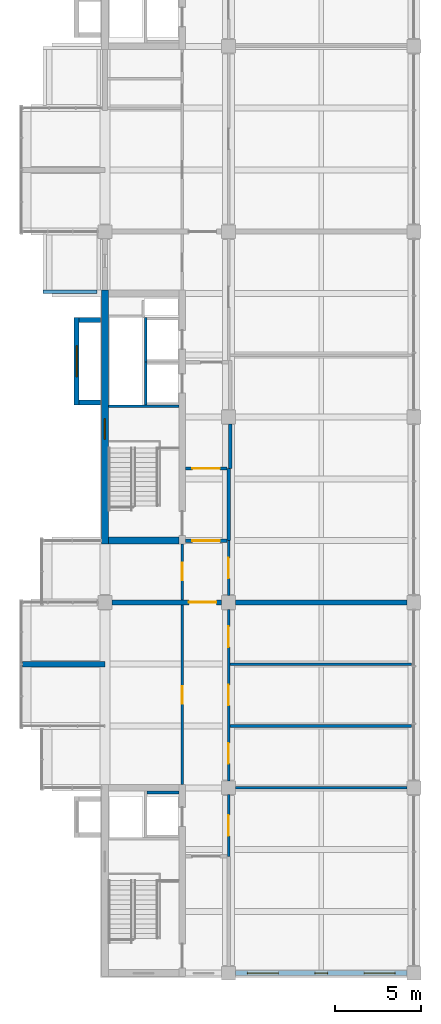
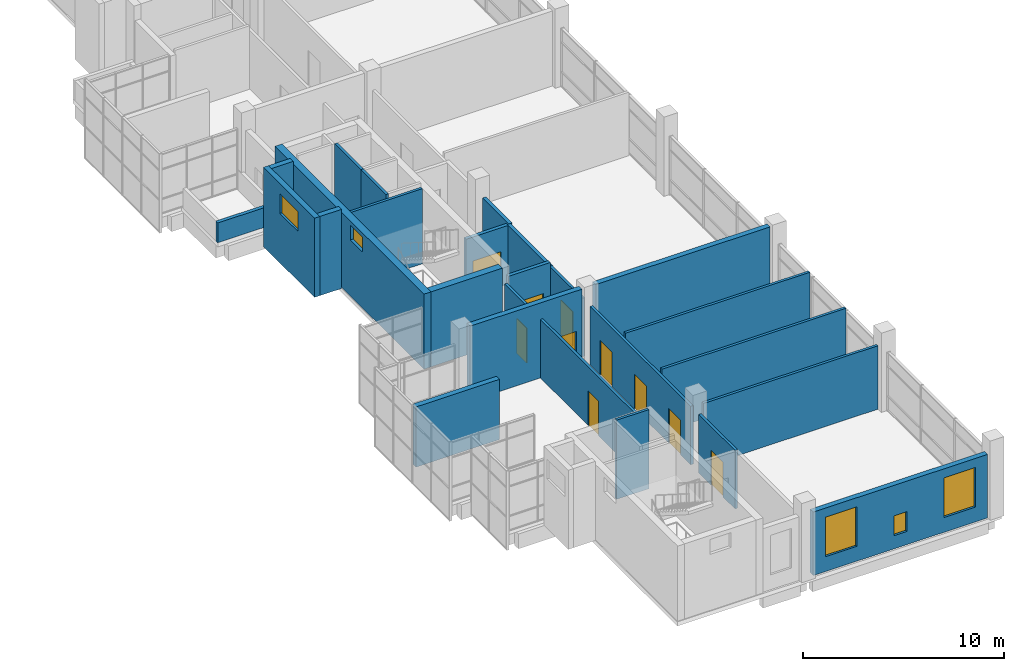
# One storey, part 11 of 14: 26 walls, 10 doors, 5 windows, 15 openings.
"""IFC4 building model written with IfcOpenShell, lengths in metres."""

import ifcopenshell
import ifcopenshell.guid

model = None  # the IFC model being written
_history = None  # IfcOwnerHistory: only IFC2X3 demands one
_inside = {}  # id of a spatial element -> (the spatial element, [elements in it])
_under = {}  # id of a project, library or spatial element -> (it, [spatial elements below it])
_declared = {}  # id of a project -> (the project, [libraries it declares])
_typed = {}  # id of a type object -> (the type object, [elements of that type])
_made_of = {}  # id of a material, layer set ... -> (it, [elements and type objects made of it])


def new_model(schema):
    """Start an empty IFC model of exactly this schema.

    Asked for "IFC4X3", IfcOpenShell would pick the latest addendum, in which some entities
    have other attributes; the version numbers below select the first issue.
    IFC2X3 requires an IfcOwnerHistory on every rooted entity: one is made here for all.
    """
    global model, _history
    if schema == "IFC4X3":
        model = ifcopenshell.file(schema_version=(4, 3, 0, 0))
    else:
        model = ifcopenshell.file(schema=schema)
    _inside.clear()
    _under.clear()
    _declared.clear()
    _typed.clear()
    _made_of.clear()
    _history = None
    if model.schema == "IFC2X3":
        org = make("IfcOrganization", Name="unknown")
        user = make(
            "IfcPersonAndOrganization",
            ThePerson=make("IfcPerson", FamilyName="unknown"),
            TheOrganization=org,
        )
        app = make(
            "IfcApplication",
            ApplicationDeveloper=org,
            Version="unknown",
            ApplicationFullName="unknown",
            ApplicationIdentifier="unknown",
        )
        _history = make(
            "IfcOwnerHistory",
            OwningUser=user,
            OwningApplication=app,
            ChangeAction="ADDED",
            CreationDate=0,
        )
    return model


def make(cls, **values):
    """One entity of the class cls with the attributes given. An attribute that is None is left unset."""
    return model.create_entity(
        cls, **{name: value for name, value in values.items() if value is not None}
    )


def rooted(cls, **values):
    """An entity with a GlobalId (a new one), such as an element, a storey or a relation."""
    return make(cls, GlobalId=ifcopenshell.guid.new(), OwnerHistory=_history, **values)


def si_unit(unit_type, name, prefix=None):
    """IfcSIUnit, for example si_unit("LENGTHUNIT", "METRE", prefix="MILLI")."""
    return make("IfcSIUnit", UnitType=unit_type, Prefix=prefix, Name=name)


def assignment(units):
    """IfcUnitAssignment: the units of a project."""
    return None if units is None else make("IfcUnitAssignment", Units=units)


def point(xyz):
    """IfcCartesianPoint."""
    return None if xyz is None else make("IfcCartesianPoint", Coordinates=xyz)


def direction(xyz):
    """IfcDirection."""
    return None if xyz is None else make("IfcDirection", DirectionRatios=xyz)


def frame(location, z_axis=None, x_axis=None):
    """IfcAxis2Placement3D, a coordinate frame: its origin and axes. An axis left out is left unset."""
    return make(
        "IfcAxis2Placement3D",
        Location=point(location),
        Axis=direction(z_axis),
        RefDirection=direction(x_axis),
    )


def frame_2d(location, x_axis=None):
    """IfcAxis2Placement2D, a coordinate frame in the plane: its origin and x axis."""
    return make(
        "IfcAxis2Placement2D", Location=point(location), RefDirection=direction(x_axis)
    )


def origin():
    """The frame at (0, 0, 0) with its axes left unset."""
    return frame((0.0, 0.0, 0.0))


def place(relative_to, where):
    """IfcLocalPlacement: puts the frame where relative to a parent placement (None: the world)."""
    return make(
        "IfcLocalPlacement", PlacementRelTo=relative_to, RelativePlacement=where
    )


def context(
    kind, dimensions, precision=None, world=None, true_north=None, identifier=None
):
    """IfcGeometricRepresentationContext, for example the 3D "Model" context."""
    return make(
        "IfcGeometricRepresentationContext",
        ContextIdentifier=identifier,
        ContextType=kind,
        CoordinateSpaceDimension=dimensions,
        Precision=precision,
        WorldCoordinateSystem=world,
        TrueNorth=true_north,
    )


def subcontext(parent, identifier, kind, view, scale=None):
    """IfcGeometricRepresentationSubContext, for example "Body" below "Model"."""
    return make(
        "IfcGeometricRepresentationSubContext",
        ContextIdentifier=identifier,
        ContextType=kind,
        ParentContext=parent,
        TargetScale=scale,
        TargetView=view,
    )


def project(units=None, contexts=None):
    """IfcProject with its units and contexts."""
    return rooted(
        "IfcProject",
        Name="project",
        RepresentationContexts=contexts,
        UnitsInContext=assignment(units),
    )


def spatial(cls, under=None, at=None, **own):
    """A site, building, storey or space (cls), placed at a placement, below another one or the project."""
    s = rooted(cls, ObjectPlacement=at, **own)
    if under is not None:
        _under.setdefault(under.id(), (under, []))[1].append(s)
    return s


def profile(cls, at=None, kind="AREA", **sizes):
    """A parametric profile (cls). Its sizes go by their IFC names, for example OverallWidth=200.0."""
    return make(cls, ProfileType=kind, Position=at, **sizes)


def rectangle(**sizes):
    """IfcRectangleProfileDef."""
    return profile("IfcRectangleProfileDef", **sizes)


def extrude(swept, where, along, depth):
    """IfcExtrudedAreaSolid: the profile swept, set in the frame where, extruded along a direction by depth."""
    return make(
        "IfcExtrudedAreaSolid",
        SweptArea=swept,
        Position=where,
        ExtrudedDirection=direction(along),
        Depth=depth,
    )


def shape(context_of_items, identifier, shape_type, items):
    """IfcShapeRepresentation: the items that make up one representation, for example the "Body"."""
    return make(
        "IfcShapeRepresentation",
        ContextOfItems=context_of_items,
        RepresentationIdentifier=identifier,
        RepresentationType=shape_type,
        Items=items,
    )


def material(Name=None, Category=None):
    """IfcMaterial."""
    return make("IfcMaterial", Name=Name, Category=Category)


def layer(
    of_material, thickness, ventilated=None, Name=None, Category=None, Priority=None
):
    """IfcMaterialLayer: one layer of a wall or slab, of a material (None: an air gap)."""
    return make(
        "IfcMaterialLayer",
        Material=of_material,
        LayerThickness=thickness,
        IsVentilated=ventilated,
        Name=Name,
        Category=Category,
        Priority=Priority,
    )


def layer_set(layers, Name=None):
    """IfcMaterialLayerSet."""
    return make("IfcMaterialLayerSet", MaterialLayers=layers, LayerSetName=Name)


def made_of(thing, what):
    """Note that an element or type object is made of a material, layer set ...; save() writes the relation."""
    if what is not None:
        _made_of.setdefault(what.id(), (what, []))[1].append(thing)
    return thing


def type_object(cls, material=None, **own):
    """A type object (cls), such as IfcWallType, which elements share."""
    return made_of(rooted(cls, **own), material)


def element(
    cls,
    number,
    at=None,
    inside=None,
    cuts=None,
    type_object=None,
    material=None,
    context=None,
    identifier="Body",
    shape_type=None,
    held_by="IfcProductDefinitionShape",
    body=None,
    shapes=None,
    **own,
):
    """One element of the class cls, such as IfcWall. Its Tag is "e" and its number.

    at: its placement. inside: the storey or other place that contains it. cuts: it is an
    opening in that element (IfcRelVoidsElement). A single representation is given by context,
    identifier, shape_type and body (its items); several are given by shapes. held_by: the class
    of the entity that holds the representations. save() writes the other relations.
    """
    e = rooted(cls, Tag="e%d" % number, ObjectPlacement=at, **own)
    if body is not None:
        shapes = [shape(context, identifier, shape_type, body)]
    if shapes is not None:
        e.Representation = make(held_by, Representations=shapes)
    if inside is not None:
        _inside.setdefault(inside.id(), (inside, []))[1].append(e)
    if cuts is not None:
        rooted(
            "IfcRelVoidsElement", RelatingBuildingElement=cuts, RelatedOpeningElement=e
        )
    if type_object is not None:
        _typed.setdefault(type_object.id(), (type_object, []))[1].append(e)
    return made_of(e, material)


def fill(opening, filler):
    """IfcRelFillsElement: the door or window that sits in an opening."""
    return rooted(
        "IfcRelFillsElement",
        RelatingOpeningElement=opening,
        RelatedBuildingElement=filler,
    )


def aggregate(whole, parts):
    """IfcRelAggregates: a whole, such as a stair, and the parts it consists of."""
    return rooted("IfcRelAggregates", RelatingObject=whole, RelatedObjects=parts)


def save(model, path):
    """Write the relations noted so far, then the file.

    IfcRelAggregates (storeys below a building ...), IfcRelContainedInSpatialStructure (elements
    in a storey), IfcRelDefinesByType, IfcRelAssociatesMaterial and IfcRelDeclares: one each for
    every whole, place, type object, material and project.
    """
    for whole, parts in _under.values():
        aggregate(whole, parts)
    for where, things in _inside.values():
        rooted(
            "IfcRelContainedInSpatialStructure",
            RelatedElements=things,
            RelatingStructure=where,
        )
    for kind, things in _typed.values():
        rooted("IfcRelDefinesByType", RelatedObjects=things, RelatingType=kind)
    for what, things in _made_of.values():
        rooted("IfcRelAssociatesMaterial", RelatedObjects=things, RelatingMaterial=what)
    for by, libraries in _declared.values():
        rooted("IfcRelDeclares", RelatingContext=by, RelatedDefinitions=libraries)
    model.write(path)


model = new_model("IFC4")

# Units and contexts
model_context = context("Model", 3, precision=1e-05, world=origin(), true_north=direction((0.0, 1.0)))
body_context = subcontext(model_context, "Body", "Model", "MODEL_VIEW")
ifc_project = project(units=[si_unit("LENGTHUNIT", "METRE"), si_unit("AREAUNIT", "SQUARE_METRE"), si_unit("VOLUMEUNIT", "CUBIC_METRE"), si_unit("PLANEANGLEUNIT", "RADIAN"), si_unit("MASSUNIT", "GRAM", prefix="KILO")], contexts=[model_context])

# Site, building, storey
site_placement = place(None, origin())
site = spatial("IfcSite", under=ifc_project, at=site_placement, CompositionType="ELEMENT")
building_placement = place(site_placement, origin())
building = spatial("IfcBuilding", under=site, at=building_placement, Name="Basin Gate Institute", CompositionType="ELEMENT")
storey_placement = place(building_placement, frame((0.0, 0.0, 60.60009765625)))
storey = spatial("IfcBuildingStorey", under=building, at=storey_placement, Name="L12", CompositionType="ELEMENT", Elevation=60.60009765625)

# Wall
ifc_material_1 = material(Name="Aluminium-faced insulated panel wall", Category="aluminium")
ifc_layer_1 = layer(ifc_material_1, 0.300048828125)
ifc_layer_set_1 = layer_set([ifc_layer_1], Name="Capsule side wall EW2 EI 120")
wall_type_1 = type_object("IfcWallType", Name="Capsule side wall EW2 EI 120", PredefinedType="STANDARD", material=ifc_layer_set_1)
wall_1_placement = place(storey_placement, frame((56.39990234375, 53.10009765625, 0.0), z_axis=(0.0, 0.0, 1.0), x_axis=(1.0, 0.0, 0.0)))
element("IfcWall", 1, at=wall_1_placement, inside=storey, type_object=wall_type_1, material=ifc_layer_set_1, Name="Capsule side wall W wing L12 line 6", PredefinedType="STANDARD", context=body_context, shape_type="SweptSolid", body=[
    extrude(rectangle(XDim=4.800048828125, YDim=0.300048828125, at=frame_2d((2.39990234375, 0.0))), origin(), (0.0, 0.0, 1.0), 3.64990234375),
])

# Wall, opening, door
ifc_material_2 = material(Name="Fire-rated masonry", Category="masonry")
ifc_layer_2 = layer(ifc_material_2, 0.199951171875)
ifc_layer_set_2 = layer_set([ifc_layer_2], Name="Enclosure wall PW2 200 EI 60")
wall_type_2 = type_object("IfcWallType", Name="Enclosure wall PW2 200 EI 60", PredefinedType="PARTITIONING", material=ifc_layer_set_2)
wall_2_placement = place(storey_placement, frame((65.89990234375, 60.300048828125, 0.0), z_axis=(0.0, 0.0, 1.0), x_axis=(1.0, 0.0, 0.0)))
wall_2 = element("IfcWall", 2, at=wall_2_placement, inside=storey, type_object=wall_type_2, material=ifc_layer_set_2, Name="Smoke lobby enclosure wall PW2 L12", PredefinedType="PARTITIONING", context=body_context, shape_type="SweptSolid", body=[
    extrude(rectangle(XDim=2.400146484375, YDim=0.199951171875, at=frame_2d((1.2001953125, 0.0))), origin(), (0.0, 0.0, 1.0), 3.849853515625),
])
opening_1_placement = place(wall_2_placement, frame((0.39990234375, 0.0, 0.0)))
opening_1 = element("IfcOpeningElement", 3, at=opening_1_placement, cuts=wall_2, Name="Opening DR500", PredefinedType="OPENING", context=body_context, shape_type="SweptSolid", body=[
    extrude(rectangle(XDim=1.60009765625, YDim=2.10009765625, at=frame_2d((0.800048828125, 1.050048828125))), frame((0.0, 0.10986328125, 0.0), z_axis=(0.0, -1.0, 0.0), x_axis=(1.0, 0.0, 0.0)), (0.0, 0.0, 1.0), 0.219970703125),
])
ifc_material_3 = material(Name="Steel fire door", Category="steel")
door_type_1 = type_object("IfcDoorType", Name="FD60 Smoke lobby door pair D8", OperationType="DOUBLE_DOOR_SINGLE_SWING", PredefinedType="DOOR", material=ifc_material_3)
door_1_placement = place(opening_1_placement, origin())
door_1 = element("IfcDoor", 4, at=door_1_placement, inside=storey, type_object=door_type_1, material=ifc_material_3, Name="Smoke lobby door SS2 L12", OperationType="DOUBLE_DOOR_SINGLE_SWING", OverallHeight=2.10009765625, OverallWidth=1.60009765625, PredefinedType="DOOR", context=body_context, shape_type="SweptSolid", body=[
    extrude(rectangle(XDim=1.60009765625, YDim=2.10009765625, at=frame_2d((0.800048828125, 1.050048828125))), frame((0.0, 0.02490234375, 0.0), z_axis=(0.0, -1.0, 0.0), x_axis=(1.0, 0.0, 0.0)), (0.0, 0.0, 1.0), 0.050048828125),
])
fill(opening_1, door_1)

wall_3_placement = place(storey_placement, frame((65.89990234375, 64.5, 0.0), z_axis=(0.0, 0.0, 1.0), x_axis=(1.0, 0.0, 0.0)))
wall_3 = element("IfcWall", 5, at=wall_3_placement, inside=storey, type_object=wall_type_2, material=ifc_layer_set_2, Name="Smoke lobby enclosure wall PW2 L12", PredefinedType="PARTITIONING", context=body_context, shape_type="SweptSolid", body=[
    extrude(rectangle(XDim=2.400146484375, YDim=0.199951171875, at=frame_2d((1.2001953125, 0.0))), origin(), (0.0, 0.0, 1.0), 3.5498046875),
])
opening_2_placement = place(wall_3_placement, frame((0.39990234375, 0.0, 0.0)))
opening_2 = element("IfcOpeningElement", 6, at=opening_2_placement, cuts=wall_3, Name="Opening DR501", PredefinedType="OPENING", context=body_context, shape_type="SweptSolid", body=[
    extrude(rectangle(XDim=1.60009765625, YDim=2.10009765625, at=frame_2d((0.800048828125, 1.050048828125))), frame((0.0, 0.10986328125, 0.0), z_axis=(0.0, -1.0, 0.0), x_axis=(1.0, 0.0, 0.0)), (0.0, 0.0, 1.0), 0.219970703125),
])
door_2_placement = place(opening_2_placement, frame((1.60009765625, 0.0, 0.0), z_axis=(0.0, 0.0, 1.0), x_axis=(-1.0, 0.0, 0.0)))
door_2 = element("IfcDoor", 7, at=door_2_placement, inside=storey, type_object=door_type_1, material=ifc_material_3, Name="Smoke lobby door SS2 L12", OperationType="DOUBLE_DOOR_SINGLE_SWING", OverallHeight=2.10009765625, OverallWidth=1.60009765625, PredefinedType="DOOR", context=body_context, shape_type="SweptSolid", body=[
    extrude(rectangle(XDim=1.60009765625, YDim=2.10009765625, at=frame_2d((0.800048828125, 1.050048828125))), frame((0.0, 0.02490234375, 0.0), z_axis=(0.0, -1.0, 0.0), x_axis=(1.0, 0.0, 0.0)), (0.0, 0.0, 1.0), 0.050048828125),
])
fill(opening_2, door_2)

# Walls
wall_4_placement = place(storey_placement, frame((68.39990234375, 60.300048828125, 0.0), z_axis=(0.0, 0.0, 1.0), x_axis=(0.0, 1.0, 0.0)))
element("IfcWall", 8, at=wall_4_placement, inside=storey, type_object=wall_type_2, material=ifc_layer_set_2, Name="Smoke lobby enclosure wall PW2 L12", PredefinedType="PARTITIONING", context=body_context, shape_type="SweptSolid", body=[
    extrude(rectangle(XDim=4.199951171875, YDim=0.199951171875, at=frame_2d((2.10009765625, 0.0))), origin(), (0.0, 0.0, 1.0), 3.5498046875),
])
wall_5_placement = place(storey_placement, frame((68.5, 64.5, 0.0), z_axis=(0.0, 0.0, 1.0), x_axis=(0.0, 1.0, 0.0)))
element("IfcWall", 9, at=wall_5_placement, inside=storey, type_object=wall_type_2, material=ifc_layer_set_2, Name="Emergency lift lobby wall PW2 L12", PredefinedType="PARTITIONING", context=body_context, shape_type="SweptSolid", body=[
    extrude(rectangle(XDim=2.60009765625, YDim=0.199951171875, at=frame_2d((1.300048828125, 0.0))), origin(), (0.0, 0.0, 1.0), 3.5498046875),
])

# Wall, openings, windows
ifc_material_4 = material(Name="Aluminium-faced insulated panel wall", Category="aluminium")
ifc_layer_3 = layer(ifc_material_4, 0.300048828125)
ifc_layer_set_3 = layer_set([ifc_layer_3], Name="External wall EW1 EI 120")
wall_type_3 = type_object("IfcWallType", Name="External wall EW1 EI 120", PredefinedType="STANDARD", material=ifc_layer_set_3)
wall_6_placement = place(storey_placement, frame((68.800048828125, 35.10009765625, 0.0), z_axis=(0.0, 0.0, 1.0), x_axis=(1.0, 0.0, 0.0)))
wall_6 = element("IfcWall", 10, at=wall_6_placement, inside=storey, type_object=wall_type_3, material=ifc_layer_set_3, Name="External end wall W wing south L12 2", PredefinedType="STANDARD", context=body_context, shape_type="SweptSolid", body=[
    extrude(rectangle(XDim=10.0, YDim=0.300048828125, at=frame_2d((5.0, 0.0))), origin(), (0.0, 0.0, 1.0), 3.849853515625),
])
opening_3_placement = place(wall_6_placement, frame((0.699951171875, 0.0, 0.89990234375)))
opening_3 = element("IfcOpeningElement", 11, at=opening_3_placement, cuts=wall_6, Name="Opening WN1", PredefinedType="OPENING", context=body_context, shape_type="SweptSolid", body=[
    extrude(rectangle(XDim=1.800048828125, YDim=2.39990234375, at=frame_2d((0.89990234375, 1.199951171875))), frame((0.0, 0.16015625, 0.0), z_axis=(0.0, -1.0, 0.0), x_axis=(1.0, 0.0, 0.0)), (0.0, 0.0, 1.0), 0.320068359375),
])
opening_4_placement = place(wall_6_placement, frame((4.625, 0.0, 0.800048828125)))
opening_4 = element("IfcOpeningElement", 12, at=opening_4_placement, cuts=wall_6, Name="Opening WN3", PredefinedType="OPENING", context=body_context, shape_type="SweptSolid", body=[
    extrude(rectangle(XDim=0.75, YDim=1.199951171875, at=frame_2d((0.375, 0.60009765625))), frame((0.0, 0.16015625, 0.0), z_axis=(0.0, -1.0, 0.0), x_axis=(1.0, 0.0, 0.0)), (0.0, 0.0, 1.0), 0.320068359375),
])
opening_5_placement = place(wall_6_placement, frame((7.5, 0.0, 0.89990234375)))
opening_5 = element("IfcOpeningElement", 13, at=opening_5_placement, cuts=wall_6, Name="Opening WN1", PredefinedType="OPENING", context=body_context, shape_type="SweptSolid", body=[
    extrude(rectangle(XDim=1.800048828125, YDim=2.39990234375, at=frame_2d((0.89990234375, 1.199951171875))), frame((0.0, 0.16015625, 0.0), z_axis=(0.0, -1.0, 0.0), x_axis=(1.0, 0.0, 0.0)), (0.0, 0.0, 1.0), 0.320068359375),
])
ifc_material_5 = material(Name="Aluminium-framed double glazing", Category="aluminium")
window_type_1 = type_object("IfcWindowType", Name="Emergency entry panel WN3", PartitioningType="SINGLE_PANEL", PredefinedType="WINDOW", material=ifc_material_5)
window_1_placement = place(opening_4_placement, origin())
window_1 = element("IfcWindow", 14, at=window_1_placement, inside=storey, type_object=window_type_1, material=ifc_material_5, Name="Emergency entry panel W wing end S L12 bay 2", OverallHeight=1.199951171875, OverallWidth=0.75, PartitioningType="SINGLE_PANEL", PredefinedType="WINDOW", context=body_context, shape_type="SweptSolid", body=[
    extrude(rectangle(XDim=0.75, YDim=1.199951171875, at=frame_2d((0.375, 0.60009765625))), frame((0.0, 0.030029296875, 0.0), z_axis=(0.0, -1.0, 0.0), x_axis=(1.0, 0.0, 0.0)), (0.0, 0.0, 1.0), 0.06005859375),
])
fill(opening_4, window_1)
ifc_material_6 = material(Name="Aluminium-framed double glazing", Category="aluminium")
window_type_2 = type_object("IfcWindowType", Name="Facade window WN1", PartitioningType="SINGLE_PANEL", PredefinedType="WINDOW", material=ifc_material_6)
window_2_placement = place(opening_3_placement, origin())
window_2 = element("IfcWindow", 15, at=window_2_placement, inside=storey, type_object=window_type_2, material=ifc_material_6, Name="Facade window W wing end S L12 bay 1", OverallHeight=2.39990234375, OverallWidth=1.800048828125, PartitioningType="SINGLE_PANEL", PredefinedType="WINDOW", context=body_context, shape_type="SweptSolid", body=[
    extrude(rectangle(XDim=1.800048828125, YDim=2.39990234375, at=frame_2d((0.89990234375, 1.199951171875))), frame((0.0, 0.030029296875, 0.0), z_axis=(0.0, -1.0, 0.0), x_axis=(1.0, 0.0, 0.0)), (0.0, 0.0, 1.0), 0.06005859375),
])
fill(opening_3, window_2)
window_3_placement = place(opening_5_placement, origin())
window_3 = element("IfcWindow", 16, at=window_3_placement, inside=storey, type_object=window_type_2, material=ifc_material_6, Name="Facade window W wing end S L12 bay 3", OverallHeight=2.39990234375, OverallWidth=1.800048828125, PartitioningType="SINGLE_PANEL", PredefinedType="WINDOW", context=body_context, shape_type="SweptSolid", body=[
    extrude(rectangle(XDim=1.800048828125, YDim=2.39990234375, at=frame_2d((0.89990234375, 1.199951171875))), frame((0.0, 0.030029296875, 0.0), z_axis=(0.0, -1.0, 0.0), x_axis=(1.0, 0.0, 0.0)), (0.0, 0.0, 1.0), 0.06005859375),
])
fill(opening_5, window_3)

# Wall
ifc_material_7 = material(Name="Concrete 40 MPa", Category="concrete")
ifc_layer_4 = layer(ifc_material_7, 0.199951171875)
ifc_layer_set_4 = layer_set([ifc_layer_4], Name="Concrete 40 MPa")
wall_type_4 = type_object("IfcWallType", Name="Parapet wall PA1", PredefinedType="PARAPET", material=ifc_layer_set_4)
wall_7_placement = place(storey_placement, frame((60.75, 74.800048828125, 0.0), z_axis=(0.0, 0.0, 1.0), x_axis=(-1.0, 0.0, 0.0)))
element("IfcWall", 17, at=wall_7_placement, inside=storey, type_object=wall_type_4, material=ifc_layer_set_4, Name="Parapet wall PA1 L12 W2", PredefinedType="PARAPET", context=body_context, shape_type="SweptSolid", body=[
    extrude(rectangle(XDim=3.14990234375, YDim=0.199951171875, at=frame_2d((1.574951171875, 0.0))), origin(), (0.0, 0.0, 1.0), 1.199951171875),
])

# Wall, opening, door
ifc_material_8 = material(Name="Gypsum board on steel stud", Category="steel")
ifc_layer_5 = layer(ifc_material_8, 0.14990234375)
ifc_layer_set_5 = layer_set([ifc_layer_5], Name="Gypsum board on steel stud")
wall_type_5 = type_object("IfcWallType", Name="Partition PW1 150 EI 60", PredefinedType="PARTITIONING", material=ifc_layer_set_5)
wall_8_placement = place(storey_placement, frame((65.699951171875, 46.10009765625, 0.0), z_axis=(0.0, 0.0, 1.0), x_axis=(0.0, 1.0, 0.0)))
wall_8 = element("IfcWall", 18, at=wall_8_placement, inside=storey, type_object=wall_type_5, material=ifc_layer_set_5, Name="Corridor wall PW1 L12", PredefinedType="PARTITIONING", context=body_context, shape_type="SweptSolid", body=[
    extrude(rectangle(XDim=10.449951171875, YDim=0.14990234375, at=frame_2d((5.22509765625, 0.0))), origin(), (0.0, 0.0, 1.0), 3.5498046875),
])
opening_6_placement = place(wall_8_placement, frame((4.699951171875, 0.0, 0.0)))
opening_6 = element("IfcOpeningElement", 19, at=opening_6_placement, cuts=wall_8, Name="Opening DR486", PredefinedType="OPENING", context=body_context, shape_type="SweptSolid", body=[
    extrude(rectangle(XDim=1.0, YDim=2.10009765625, at=frame_2d((0.5, 1.050048828125))), frame((0.0, 0.0849609375, 0.0), z_axis=(0.0, -1.0, 0.0), x_axis=(1.0, 0.0, 0.0)), (0.0, 0.0, 1.0), 0.169921875),
])
ifc_material_9 = material(Name="Timber fire door", Category="wood")
door_type_2 = type_object("IfcDoorType", Name="FD30 Office door D1", OperationType="NOTDEFINED", PredefinedType="DOOR", material=ifc_material_9)
door_3_placement = place(opening_6_placement, origin())
door_3 = element("IfcDoor", 20, at=door_3_placement, inside=storey, type_object=door_type_2, material=ifc_material_9, Name="Door to Library Carrel Room 1201 L12", OperationType="SINGLE_SWING_LEFT", OverallHeight=2.10009765625, OverallWidth=1.0, PredefinedType="DOOR", context=body_context, shape_type="SweptSolid", body=[
    extrude(rectangle(XDim=1.0, YDim=2.10009765625, at=frame_2d((0.5, 1.050048828125))), frame((0.0, 0.02490234375, 0.0), z_axis=(0.0, -1.0, 0.0), x_axis=(1.0, 0.0, 0.0)), (0.0, 0.0, 1.0), 0.050048828125),
])
fill(opening_6, door_3)

wall_9_placement = place(storey_placement, frame((65.699951171875, 56.85009765625, 0.0), z_axis=(0.0, 0.0, 1.0), x_axis=(0.0, 1.0, 0.0)))
wall_9 = element("IfcWall", 21, at=wall_9_placement, inside=storey, type_object=wall_type_5, material=ifc_layer_set_5, Name="Corridor wall PW1 L12", PredefinedType="PARTITIONING", context=body_context, shape_type="SweptSolid", body=[
    extrude(rectangle(XDim=3.25, YDim=0.14990234375, at=frame_2d((1.625, 0.0))), origin(), (0.0, 0.0, 1.0), 3.5498046875),
])
opening_7_placement = place(wall_9_placement, frame((1.14990234375, 0.0, 0.0)))
opening_7 = element("IfcOpeningElement", 22, at=opening_7_placement, cuts=wall_9, Name="Opening DR488", PredefinedType="OPENING", context=body_context, shape_type="SweptSolid", body=[
    extrude(rectangle(XDim=1.0, YDim=2.10009765625, at=frame_2d((0.5, 1.050048828125))), frame((0.0, 0.0849609375, 0.0), z_axis=(0.0, -1.0, 0.0), x_axis=(1.0, 0.0, 0.0)), (0.0, 0.0, 1.0), 0.169921875),
])
door_4_placement = place(opening_7_placement, origin())
door_4 = element("IfcDoor", 23, at=door_4_placement, inside=storey, type_object=door_type_2, material=ifc_material_9, Name="Door to Meeting Room 1202 L12", OperationType="SINGLE_SWING_RIGHT", OverallHeight=2.10009765625, OverallWidth=1.0, PredefinedType="DOOR", context=body_context, shape_type="SweptSolid", body=[
    extrude(rectangle(XDim=1.0, YDim=2.10009765625, at=frame_2d((0.5, 1.050048828125))), frame((0.0, 0.02490234375, 0.0), z_axis=(0.0, -1.0, 0.0), x_axis=(1.0, 0.0, 0.0)), (0.0, 0.0, 1.0), 0.050048828125),
])
fill(opening_7, door_4)

wall_10_placement = place(storey_placement, frame((68.39990234375, 41.89990234375, 0.0), z_axis=(0.0, 0.0, 1.0), x_axis=(0.0, 1.0, 0.0)))
wall_10 = element("IfcWall", 24, at=wall_10_placement, inside=storey, type_object=wall_type_5, material=ifc_layer_set_5, Name="Laboratory corridor wall PW1 L12", PredefinedType="PARTITIONING", context=body_context, shape_type="SweptSolid", body=[
    extrude(rectangle(XDim=3.60009765625, YDim=0.14990234375, at=frame_2d((1.800048828125, 0.0))), origin(), (0.0, 0.0, 1.0), 3.5498046875),
])
opening_8_placement = place(wall_10_placement, frame((1.199951171875, 0.0, 0.0)))
opening_8 = element("IfcOpeningElement", 25, at=opening_8_placement, cuts=wall_10, Name="Opening DR490", PredefinedType="OPENING", context=body_context, shape_type="SweptSolid", body=[
    extrude(rectangle(XDim=1.199951171875, YDim=2.10009765625, at=frame_2d((0.60009765625, 1.050048828125))), frame((0.0, 0.0849609375, 0.0), z_axis=(0.0, -1.0, 0.0), x_axis=(1.0, 0.0, 0.0)), (0.0, 0.0, 1.0), 0.169921875),
])
ifc_material_10 = material(Name="Timber fire door", Category="wood")
door_type_3 = type_object("IfcDoorType", Name="FD30 Laboratory door D2", OperationType="DOUBLE_DOOR_SINGLE_SWING", PredefinedType="DOOR", material=ifc_material_10)
door_5_placement = place(opening_8_placement, frame((1.199951171875, 0.0, 0.0), z_axis=(0.0, 0.0, 1.0), x_axis=(-1.0, 0.0, 0.0)))
door_5 = element("IfcDoor", 26, at=door_5_placement, inside=storey, type_object=door_type_3, material=ifc_material_10, Name="Door to Write-up Office 1215 L12", OperationType="DOUBLE_DOOR_SINGLE_SWING", OverallHeight=2.10009765625, OverallWidth=1.199951171875, PredefinedType="DOOR", context=body_context, shape_type="SweptSolid", body=[
    extrude(rectangle(XDim=1.199951171875, YDim=2.10009765625, at=frame_2d((0.60009765625, 1.050048828125))), frame((0.0, 0.02490234375, 0.0), z_axis=(0.0, -1.0, 0.0), x_axis=(1.0, 0.0, 0.0)), (0.0, 0.0, 1.0), 0.050048828125),
])
fill(opening_8, door_5)

# Wall, openings, doors
wall_11_placement = place(storey_placement, frame((68.39990234375, 46.300048828125, 0.0), z_axis=(0.0, 0.0, 1.0), x_axis=(0.0, 1.0, 0.0)))
wall_11 = element("IfcWall", 27, at=wall_11_placement, inside=storey, type_object=wall_type_5, material=ifc_layer_set_5, Name="Laboratory corridor wall PW1 L12", PredefinedType="PARTITIONING", context=body_context, shape_type="SweptSolid", body=[
    extrude(rectangle(XDim=10.0, YDim=0.14990234375, at=frame_2d((5.0, 0.0))), origin(), (0.0, 0.0, 1.0), 3.5498046875),
])
opening_9_placement = place(wall_11_placement, frame((1.0, 0.0, 0.0)))
opening_9 = element("IfcOpeningElement", 28, at=opening_9_placement, cuts=wall_11, Name="Opening DR491", PredefinedType="OPENING", context=body_context, shape_type="SweptSolid", body=[
    extrude(rectangle(XDim=1.199951171875, YDim=2.10009765625, at=frame_2d((0.60009765625, 1.050048828125))), frame((0.0, 0.0849609375, 0.0), z_axis=(0.0, -1.0, 0.0), x_axis=(1.0, 0.0, 0.0)), (0.0, 0.0, 1.0), 0.169921875),
])
opening_10_placement = place(wall_11_placement, frame((4.39990234375, 0.0, 0.0)))
opening_10 = element("IfcOpeningElement", 29, at=opening_10_placement, cuts=wall_11, Name="Opening DR492", PredefinedType="OPENING", context=body_context, shape_type="SweptSolid", body=[
    extrude(rectangle(XDim=1.199951171875, YDim=2.10009765625, at=frame_2d((0.60009765625, 1.050048828125))), frame((0.0, 0.0849609375, 0.0), z_axis=(0.0, -1.0, 0.0), x_axis=(1.0, 0.0, 0.0)), (0.0, 0.0, 1.0), 0.169921875),
])
opening_11_placement = place(wall_11_placement, frame((7.800048828125, 0.0, 0.0)))
opening_11 = element("IfcOpeningElement", 30, at=opening_11_placement, cuts=wall_11, Name="Opening DR493", PredefinedType="OPENING", context=body_context, shape_type="SweptSolid", body=[
    extrude(rectangle(XDim=1.199951171875, YDim=2.10009765625, at=frame_2d((0.60009765625, 1.050048828125))), frame((0.0, 0.0849609375, 0.0), z_axis=(0.0, -1.0, 0.0), x_axis=(1.0, 0.0, 0.0)), (0.0, 0.0, 1.0), 0.169921875),
])
door_6_placement = place(opening_9_placement, frame((1.199951171875, 0.0, 0.0), z_axis=(0.0, 0.0, 1.0), x_axis=(-1.0, 0.0, 0.0)))
door_6 = element("IfcDoor", 31, at=door_6_placement, inside=storey, type_object=door_type_3, material=ifc_material_10, Name="Door to Write-up Office 1216 L12", OperationType="DOUBLE_DOOR_SINGLE_SWING", OverallHeight=2.10009765625, OverallWidth=1.199951171875, PredefinedType="DOOR", context=body_context, shape_type="SweptSolid", body=[
    extrude(rectangle(XDim=1.199951171875, YDim=2.10009765625, at=frame_2d((0.60009765625, 1.050048828125))), frame((0.0, 0.02490234375, 0.0), z_axis=(0.0, -1.0, 0.0), x_axis=(1.0, 0.0, 0.0)), (0.0, 0.0, 1.0), 0.050048828125),
])
fill(opening_9, door_6)
door_7_placement = place(opening_10_placement, frame((1.199951171875, 0.0, 0.0), z_axis=(0.0, 0.0, 1.0), x_axis=(-1.0, 0.0, 0.0)))
door_7 = element("IfcDoor", 32, at=door_7_placement, inside=storey, type_object=door_type_3, material=ifc_material_10, Name="Door to Write-up Office 1217 L12", OperationType="DOUBLE_DOOR_SINGLE_SWING", OverallHeight=2.10009765625, OverallWidth=1.199951171875, PredefinedType="DOOR", context=body_context, shape_type="SweptSolid", body=[
    extrude(rectangle(XDim=1.199951171875, YDim=2.10009765625, at=frame_2d((0.60009765625, 1.050048828125))), frame((0.0, 0.02490234375, 0.0), z_axis=(0.0, -1.0, 0.0), x_axis=(1.0, 0.0, 0.0)), (0.0, 0.0, 1.0), 0.050048828125),
])
fill(opening_10, door_7)
door_8_placement = place(opening_11_placement, frame((1.199951171875, 0.0, 0.0), z_axis=(0.0, 0.0, 1.0), x_axis=(-1.0, 0.0, 0.0)))
door_8 = element("IfcDoor", 33, at=door_8_placement, inside=storey, type_object=door_type_3, material=ifc_material_10, Name="Door to Write-up Office 1218 L12", OperationType="DOUBLE_DOOR_SINGLE_SWING", OverallHeight=2.10009765625, OverallWidth=1.199951171875, PredefinedType="DOOR", context=body_context, shape_type="SweptSolid", body=[
    extrude(rectangle(XDim=1.199951171875, YDim=2.10009765625, at=frame_2d((0.60009765625, 1.050048828125))), frame((0.0, 0.02490234375, 0.0), z_axis=(0.0, -1.0, 0.0), x_axis=(1.0, 0.0, 0.0)), (0.0, 0.0, 1.0), 0.050048828125),
])
fill(opening_11, door_8)

# Wall, opening, door
wall_12_placement = place(storey_placement, frame((68.39990234375, 57.10009765625, 0.0), z_axis=(0.0, 0.0, 1.0), x_axis=(0.0, 1.0, 0.0)))
wall_12 = element("IfcWall", 34, at=wall_12_placement, inside=storey, type_object=wall_type_5, material=ifc_layer_set_5, Name="Laboratory corridor wall PW1 L12", PredefinedType="PARTITIONING", context=body_context, shape_type="SweptSolid", body=[
    extrude(rectangle(XDim=3.199951171875, YDim=0.14990234375, at=frame_2d((1.60009765625, 0.0))), origin(), (0.0, 0.0, 1.0), 3.5498046875),
])
opening_12_placement = place(wall_12_placement, frame((1.0, 0.0, 0.0)))
opening_12 = element("IfcOpeningElement", 35, at=opening_12_placement, cuts=wall_12, Name="Opening DR494", PredefinedType="OPENING", context=body_context, shape_type="SweptSolid", body=[
    extrude(rectangle(XDim=1.199951171875, YDim=2.10009765625, at=frame_2d((0.60009765625, 1.050048828125))), frame((0.0, 0.0849609375, 0.0), z_axis=(0.0, -1.0, 0.0), x_axis=(1.0, 0.0, 0.0)), (0.0, 0.0, 1.0), 0.169921875),
])
door_9_placement = place(opening_12_placement, frame((1.199951171875, 0.0, 0.0), z_axis=(0.0, 0.0, 1.0), x_axis=(-1.0, 0.0, 0.0)))
door_9 = element("IfcDoor", 36, at=door_9_placement, inside=storey, type_object=door_type_3, material=ifc_material_10, Name="Door to Write-up Office 1219 L12", OperationType="DOUBLE_DOOR_SINGLE_SWING", OverallHeight=2.10009765625, OverallWidth=1.199951171875, PredefinedType="DOOR", context=body_context, shape_type="SweptSolid", body=[
    extrude(rectangle(XDim=1.199951171875, YDim=2.10009765625, at=frame_2d((0.60009765625, 1.050048828125))), frame((0.0, 0.02490234375, 0.0), z_axis=(0.0, -1.0, 0.0), x_axis=(1.0, 0.0, 0.0)), (0.0, 0.0, 1.0), 0.050048828125),
])
fill(opening_12, door_9)

# Walls
wall_13_placement = place(storey_placement, frame((68.800048828125, 45.89990234375, 0.0), z_axis=(0.0, 0.0, 1.0), x_axis=(1.0, 0.0, 0.0)))
element("IfcWall", 37, at=wall_13_placement, inside=storey, type_object=wall_type_5, material=ifc_layer_set_5, Name="Laboratory partition PW1 L12", PredefinedType="PARTITIONING", context=body_context, shape_type="SweptSolid", body=[
    extrude(rectangle(XDim=10.0, YDim=0.14990234375, at=frame_2d((5.0, 0.0))), origin(), (0.0, 0.0, 1.0), 3.849853515625),
])
for number, where, z_axis, x_axis, name in (
    (38, (68.47509765625, 49.5, 0.0), (0.0, 0.0, 1.0), (1.0, 0.0, 0.0), "Laboratory partition PW1 L12"),
    (39, (68.47509765625, 53.10009765625, 0.0), (0.0, 0.0, 1.0), (1.0, 0.0, 0.0), "Laboratory partition PW1 L12"),
):
    element("IfcWall", number, at=place(storey_placement, frame(where, z_axis=z_axis, x_axis=x_axis)), inside=storey, type_object=wall_type_5, material=ifc_layer_set_5, Name=name, PredefinedType="PARTITIONING", context=body_context, shape_type="SweptSolid", body=[
        extrude(rectangle(XDim=10.574951171875, YDim=0.14990234375, at=frame_2d((5.28759765625, 0.0))), origin(), (0.0, 0.0, 1.0), 3.849853515625),
    ])
ifc_material_11 = material(Name="Concrete 40 MPa", Category="concrete")
ifc_layer_6 = layer(ifc_material_11, 0.14990234375)
ifc_layer_set_6 = layer_set([ifc_layer_6], Name="Concrete 40 MPa")
wall_type_6 = type_object("IfcWallType", Name="Wall LS1 lift shaft enclosure R120", PredefinedType="SOLIDWALL", material=ifc_layer_set_6)
wall_14_placement = place(storey_placement, frame((63.64990234375, 45.625, 0.0), z_axis=(0.0, 0.0, 1.0), x_axis=(1.0, 0.0, 0.0)))
element("IfcWall", 40, at=wall_14_placement, inside=storey, type_object=wall_type_6, material=ifc_layer_set_6, Name="Lift shaft enclosure LP1 L12 RH", PredefinedType="SOLIDWALL", context=body_context, shape_type="SweptSolid", body=[
    extrude(rectangle(XDim=1.85009765625, YDim=0.14990234375, at=frame_2d((0.925048828125, 0.0))), origin(), (0.0, 0.0, 1.0), 4.7998046875),
])
wall_15_placement = place(storey_placement, frame((63.574951171875, 68.199951171875, 0.0), z_axis=(0.0, 0.0, 1.0), x_axis=(0.0, 1.0, 0.0)))
element("IfcWall", 41, at=wall_15_placement, inside=storey, type_object=wall_type_6, material=ifc_layer_set_6, Name="Lift shaft enclosure LF1 L12 UL", PredefinedType="SOLIDWALL", context=body_context, shape_type="SweptSolid", body=[
    extrude(rectangle(XDim=2.5, YDim=0.14990234375, at=frame_2d((1.25, 0.0))), origin(), (0.0, 0.0, 1.0), 4.7998046875),
])
wall_16_placement = place(storey_placement, frame((63.574951171875, 70.699951171875, 0.0), z_axis=(0.0, 0.0, 1.0), x_axis=(0.0, 1.0, 0.0)))
element("IfcWall", 42, at=wall_16_placement, inside=storey, type_object=wall_type_6, material=ifc_layer_set_6, Name="Lift shaft enclosure LP2 L12 UL", PredefinedType="SOLIDWALL", context=body_context, shape_type="SweptSolid", body=[
    extrude(rectangle(XDim=2.60009765625, YDim=0.14990234375, at=frame_2d((1.300048828125, 0.0))), origin(), (0.0, 0.0, 1.0), 4.7998046875),
])
ifc_material_12 = material(Name="Concrete 40 MPa", Category="concrete")
ifc_layer_7 = layer(ifc_material_12, 0.14990234375)
ifc_layer_set_7 = layer_set([ifc_layer_7], Name="Concrete 40 MPa")
wall_type_7 = type_object("IfcWallType", Name="Wall SE1 stair enclosure R120", PredefinedType="SOLIDWALL", material=ifc_layer_set_7)
wall_17_placement = place(storey_placement, frame((61.39990234375, 68.125, 0.0), z_axis=(0.0, 0.0, 1.0), x_axis=(1.0, 0.0, 0.0)))
element("IfcWall", 43, at=wall_17_placement, inside=storey, type_object=wall_type_7, material=ifc_layer_set_7, Name="Stair enclosure wall ST-WM L12", PredefinedType="SOLIDWALL", context=body_context, shape_type="SweptSolid", body=[
    extrude(rectangle(XDim=4.10009765625, YDim=0.14990234375, at=frame_2d((2.050048828125, 0.0))), origin(), (0.0, 0.0, 1.0), 4.5498046875),
])

# Wall, opening, window
ifc_material_13 = material(Name="Concrete 50 MPa", Category="concrete")
ifc_layer_8 = layer(ifc_material_13, 0.300048828125)
ifc_layer_set_8 = layer_set([ifc_layer_8], Name="Concrete 50 MPa")
wall_type_8 = type_object("IfcWallType", Name="Wall SK1 R120", PredefinedType="SHEAR", material=ifc_layer_set_8)
wall_18_placement = place(storey_placement, frame((59.550048828125, 68.199951171875, 0.0), z_axis=(0.0, 0.0, 1.0), x_axis=(0.0, 1.0, 0.0)))
wall_18 = element("IfcWall", 44, at=wall_18_placement, inside=storey, type_object=wall_type_8, material=ifc_layer_set_8, Name="Spine riser stack wall SK1 WM F L12", PredefinedType="SHEAR", context=body_context, shape_type="SweptSolid", body=[
    extrude(rectangle(XDim=5.10009765625, YDim=0.300048828125, at=frame_2d((2.550048828125, 0.0))), origin(), (0.0, 0.0, 1.0), 4.7998046875),
])
opening_13_placement = place(wall_18_placement, frame((1.64990234375, 0.0, 3.0)))
opening_13 = element("IfcOpeningElement", 45, at=opening_13_placement, cuts=wall_18, Name="Opening WL2", PredefinedType="OPENING", context=body_context, shape_type="SweptSolid", body=[
    extrude(rectangle(XDim=1.800048828125, YDim=1.199951171875, at=frame_2d((0.89990234375, 0.60009765625))), frame((0.0, 0.16015625, 0.0), z_axis=(0.0, -1.0, 0.0), x_axis=(1.0, 0.0, 0.0)), (0.0, 0.0, 1.0), 0.320068359375),
])
ifc_material_14 = material(Name="Aluminium louvre blades with fire damper", Category="aluminium")
window_type_3 = type_object("IfcWindowType", Name="Riser louvre EI 120 WL2", PartitioningType="SINGLE_PANEL", PredefinedType="WINDOW", material=ifc_material_14)
window_4_placement = place(opening_13_placement, origin())
window_4 = element("IfcWindow", 46, at=window_4_placement, inside=storey, type_object=window_type_3, material=ifc_material_14, Name="Riser louvre EI 120 WM riser 1 L12", OverallHeight=1.199951171875, OverallWidth=1.800048828125, PartitioningType="SINGLE_PANEL", PredefinedType="WINDOW", context=body_context, shape_type="SweptSolid", body=[
    extrude(rectangle(XDim=1.800048828125, YDim=1.199951171875, at=frame_2d((0.89990234375, 0.60009765625))), frame((0.0, 0.030029296875, 0.0), z_axis=(0.0, -1.0, 0.0), x_axis=(1.0, 0.0, 0.0)), (0.0, 0.0, 1.0), 0.06005859375),
])
fill(opening_13, window_4)

# Walls
for number, where, z_axis, x_axis, name in (
    (47, (60.949951171875, 68.35009765625, 0.0), (0.0, 0.0, 1.0), (-1.0, 0.0, 0.0), "Spine riser stack wall SK1 WM A L12"),
    (48, (60.949951171875, 73.14990234375, 0.0), (0.0, 0.0, 1.0), (-1.0, 0.0, 0.0), "Spine riser stack wall SK1 WM B L12"),
):
    element("IfcWall", number, at=place(storey_placement, frame(where, z_axis=z_axis, x_axis=x_axis)), inside=storey, type_object=wall_type_8, material=ifc_layer_set_8, Name=name, PredefinedType="SHEAR", context=body_context, shape_type="SweptSolid", body=[
        extrude(rectangle(XDim=1.25, YDim=0.300048828125, at=frame_2d((0.625, 0.0))), origin(), (0.0, 0.0, 1.0), 4.7998046875),
    ])

# Wall, opening, window
ifc_material_15 = material(Name="Concrete 50 MPa", Category="concrete")
ifc_layer_9 = layer(ifc_material_15, 0.39990234375)
ifc_layer_set_9 = layer_set([ifc_layer_9], Name="Concrete 50 MPa")
wall_type_9 = type_object("IfcWallType", Name="Wall SW2 R120", PredefinedType="SHEAR", material=ifc_layer_set_9)
wall_19_placement = place(storey_placement, frame((61.199951171875, 60.10009765625, 0.0), z_axis=(0.0, 0.0, 1.0), x_axis=(0.0, 1.0, 0.0)))
wall_19 = element("IfcWall", 49, at=wall_19_placement, inside=storey, type_object=wall_type_9, material=ifc_layer_set_9, Name="WALL/L12/WM/L", PredefinedType="SHEAR", context=body_context, shape_type="SweptSolid", body=[
    extrude(rectangle(XDim=14.7998046875, YDim=0.39990234375, at=frame_2d((7.39990234375, 0.0))), origin(), (0.0, 0.0, 1.0), 4.5498046875),
])
opening_14_placement = place(wall_19_placement, frame((6.110107421875, 0.0, 3.39990234375)))
opening_14 = element("IfcOpeningElement", 50, at=opening_14_placement, cuts=wall_19, Name="Opening WT2", PredefinedType="OPENING", context=body_context, shape_type="SweptSolid", body=[
    extrude(rectangle(XDim=1.199951171875, YDim=0.89990234375, at=frame_2d((0.60009765625, 0.449951171875))), frame((0.0, 0.2099609375, 0.0), z_axis=(0.0, -1.0, 0.0), x_axis=(1.0, 0.0, 0.0)), (0.0, 0.0, 1.0), 0.419921875),
])
ifc_material_16 = material(Name="Fire-resistant glazing in steel-free frame", Category="steel")
window_type_4 = type_object("IfcWindowType", Name="Rated stair window EI 120 WT2", PartitioningType="SINGLE_PANEL", PredefinedType="WINDOW", material=ifc_material_16)
window_5_placement = place(opening_14_placement, origin())
window_5 = element("IfcWindow", 51, at=window_5_placement, inside=storey, type_object=window_type_4, material=ifc_material_16, Name="Rated stair window EI 120 WM landing L12", OverallHeight=0.89990234375, OverallWidth=1.199951171875, PartitioningType="SINGLE_PANEL", PredefinedType="WINDOW", context=body_context, shape_type="SweptSolid", body=[
    extrude(rectangle(XDim=1.199951171875, YDim=0.89990234375, at=frame_2d((0.60009765625, 0.449951171875))), frame((0.0, 0.030029296875, 0.0), z_axis=(0.0, -1.0, 0.0), x_axis=(1.0, 0.0, 0.0)), (0.0, 0.0, 1.0), 0.06005859375),
])
fill(opening_14, window_5)

# Wall
wall_20_placement = place(storey_placement, frame((61.39990234375, 60.300048828125, 0.0), z_axis=(0.0, 0.0, 1.0), x_axis=(1.0, 0.0, 0.0)))
element("IfcWall", 52, at=wall_20_placement, inside=storey, type_object=wall_type_9, material=ifc_layer_set_9, Name="WALL/L12/WM/S", PredefinedType="SHEAR", context=body_context, shape_type="SweptSolid", body=[
    extrude(rectangle(XDim=4.10009765625, YDim=0.39990234375, at=frame_2d((2.050048828125, 0.0))), origin(), (0.0, 0.0, 1.0), 4.5498046875),
])

# Wall, opening, door
ifc_material_17 = material(Name="Concrete 50 MPa", Category="concrete")
ifc_layer_10 = layer(ifc_material_17, 0.300048828125)
ifc_layer_set_10 = layer_set([ifc_layer_10], Name="Concrete 50 MPa")
wall_type_10 = type_object("IfcWallType", Name="Wall XW1 R120", PredefinedType="SHEAR", material=ifc_layer_set_10)
wall_21_placement = place(storey_placement, frame((61.60009765625, 56.699951171875, 0.0), z_axis=(0.0, 0.0, 1.0), x_axis=(1.0, 0.0, 0.0)))
wall_21 = element("IfcWall", 53, at=wall_21_placement, inside=storey, type_object=wall_type_10, material=ifc_layer_set_10, Name="WALL/L12/WXC/1", PredefinedType="SHEAR", context=body_context, shape_type="SweptSolid", body=[
    extrude(rectangle(XDim=6.39990234375, YDim=0.300048828125, at=frame_2d((3.199951171875, 0.0))), origin(), (0.0, 0.0, 1.0), 4.5498046875),
])
opening_15_placement = place(wall_21_placement, frame((4.487548828125, 0.0, 0.0)))
opening_15 = element("IfcOpeningElement", 54, at=opening_15_placement, cuts=wall_21, Name="Opening DR503", PredefinedType="OPENING", context=body_context, shape_type="SweptSolid", body=[
    extrude(rectangle(XDim=1.60009765625, YDim=2.10009765625, at=frame_2d((0.800048828125, 1.050048828125))), frame((0.0, 0.16015625, 0.0), z_axis=(0.0, -1.0, 0.0), x_axis=(1.0, 0.0, 0.0)), (0.0, 0.0, 1.0), 0.320068359375),
])
ifc_material_18 = material(Name="Steel fire door", Category="steel")
door_type_4 = type_object("IfcDoorType", Name="FD60 Compartment door pair D7", OperationType="DOUBLE_DOOR_SINGLE_SWING", PredefinedType="DOOR", material=ifc_material_18)
door_10_placement = place(opening_15_placement, origin())
door_10 = element("IfcDoor", 55, at=door_10_placement, inside=storey, type_object=door_type_4, material=ifc_material_18, Name="Compartment door pair L12 W1 L12", OperationType="DOUBLE_DOOR_SINGLE_SWING", OverallHeight=2.10009765625, OverallWidth=1.60009765625, PredefinedType="DOOR", context=body_context, shape_type="SweptSolid", body=[
    extrude(rectangle(XDim=1.60009765625, YDim=2.10009765625, at=frame_2d((0.800048828125, 1.050048828125))), frame((0.0, 0.02490234375, 0.0), z_axis=(0.0, -1.0, 0.0), x_axis=(1.0, 0.0, 0.0)), (0.0, 0.0, 1.0), 0.050048828125),
])
fill(opening_15, door_10)

# Wall
wall_22_placement = place(storey_placement, frame((68.800048828125, 56.699951171875, 0.0), z_axis=(0.0, 0.0, 1.0), x_axis=(1.0, 0.0, 0.0)))
element("IfcWall", 56, at=wall_22_placement, inside=storey, type_object=wall_type_10, material=ifc_layer_set_10, Name="WALL/L12/WXC/2", PredefinedType="SHEAR", context=body_context, shape_type="SweptSolid", body=[
    extrude(rectangle(XDim=10.0, YDim=0.300048828125, at=frame_2d((5.0, 0.0))), origin(), (0.0, 0.0, 1.0), 4.5498046875),
])

save(model, "model.ifc")
